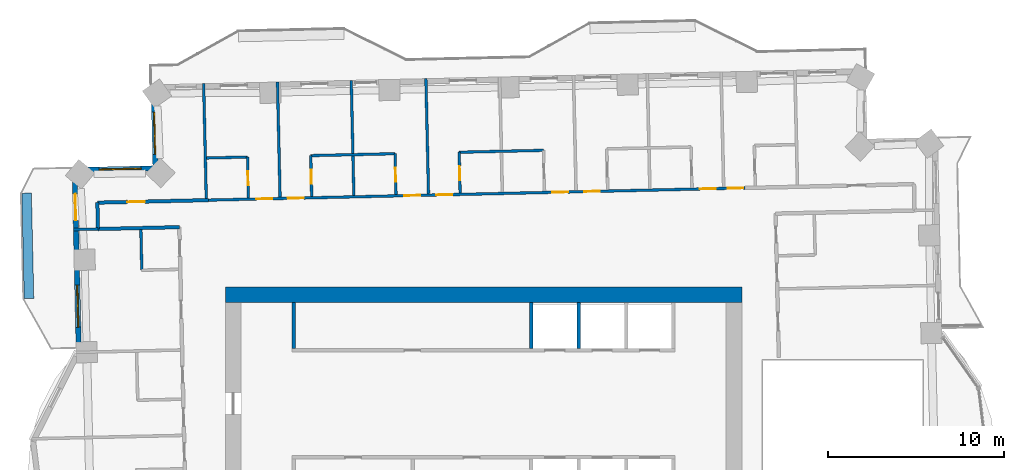
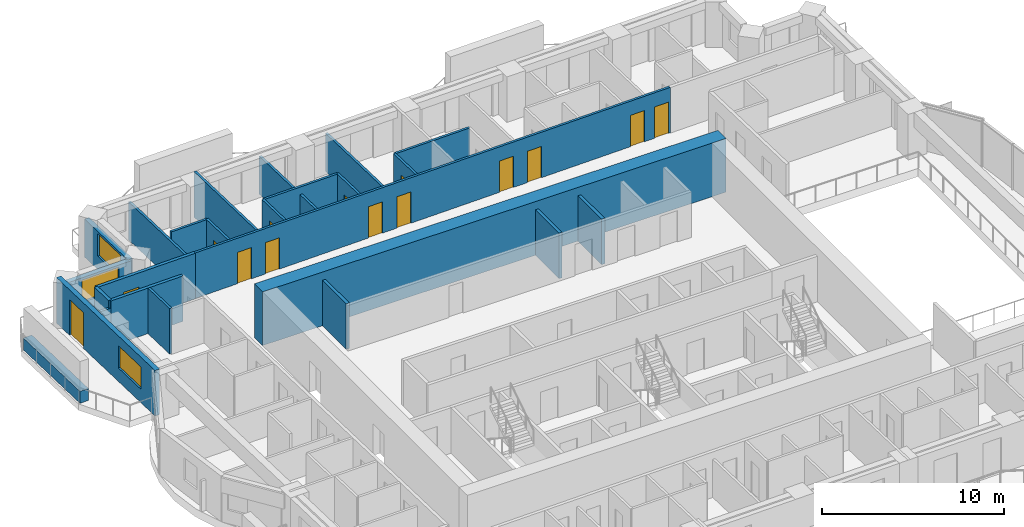
# One storey, part 8 of 14: 25 walls, 14 doors, 3 windows, 17 openings.
"""IFC4 building model written with IfcOpenShell, lengths in metres."""

from ifc_helpers import new_model, si_unit, direction, frame, frame_2d, origin, place, context, subcontext, project, spatial, rectangle, extrude, material, layer, layer_set, type_object, element, fill, save


model = new_model("IFC4")

# Units and contexts
model_context = context("Model", 3, precision=1e-05, world=origin(), true_north=direction((0.0, 1.0)))
body_context = subcontext(model_context, "Body", "Model", "MODEL_VIEW")
ifc_project = project(units=[si_unit("LENGTHUNIT", "METRE"), si_unit("AREAUNIT", "SQUARE_METRE"), si_unit("VOLUMEUNIT", "CUBIC_METRE"), si_unit("PLANEANGLEUNIT", "RADIAN"), si_unit("MASSUNIT", "GRAM", prefix="KILO")], contexts=[model_context])

# Site, building, storey
site_placement = place(None, origin())
site = spatial("IfcSite", under=ifc_project, at=site_placement, CompositionType="ELEMENT")
building_placement = place(site_placement, origin())
building = spatial("IfcBuilding", under=site, at=building_placement, Name="Mangrove Gate Tower", CompositionType="ELEMENT")
storey_placement = place(building_placement, frame((0.0, 0.0, 186.10009765625)))
storey = spatial("IfcBuildingStorey", under=building, at=storey_placement, Name="L47", CompositionType="ELEMENT", Elevation=186.10009765625)

# Walls
ifc_material_1 = material(Name="Concrete C32/40", Category="concrete")
ifc_layer_1 = layer(ifc_material_1, 0.199951171875)
ifc_layer_set_1 = layer_set([ifc_layer_1], Name="Core room wall 200 C32/40")
wall_type_1 = type_object("IfcWallType", Name="Core room wall 200 C32/40", PredefinedType="STANDARD", material=ifc_layer_set_1)
wall_1_placement = place(storey_placement, frame((-10.800048828125, 8.199951171875, 0.0), z_axis=(0.0, 0.0, 1.0), x_axis=(0.0, 1.0, 0.0)))
element("IfcWall", 1, at=wall_1_placement, inside=storey, type_object=wall_type_1, Name="WALL-L47-CORE-25", PredefinedType="STANDARD", context=body_context, shape_type="SweptSolid", body=[
    extrude(rectangle(XDim=2.60009765625, YDim=0.199951171875, at=frame_2d((1.300048828125, 0.0))), origin(), (0.0, 0.0, 1.0), 3.0498046875),
])
ifc_material_2 = material(Name="Concrete C60/75", Category="concrete")
ifc_layer_2 = layer(ifc_material_2, 0.199951171875)
ifc_layer_set_2 = layer_set([ifc_layer_2], Name="Core shaft wall 200 C60/75")
wall_type_2 = type_object("IfcWallType", Name="Core shaft wall 200 C60/75", PredefinedType="SHEAR", material=ifc_layer_set_2)
for number, where, z_axis, x_axis, name in (
    (2, (2.699951171875, 8.199951171875, 0.0), (0.0, 0.0, 1.0), (0.0, 1.0, 0.0), "WALL-L47-CORE-26"),
    (3, (5.39990234375, 8.199951171875, 0.0), (0.0, 0.0, 1.0), (0.0, 1.0, 0.0), "WALL-L47-CORE-27"),
):
    element("IfcWall", number, at=place(storey_placement, frame(where, z_axis=z_axis, x_axis=x_axis)), inside=storey, type_object=wall_type_2, Name=name, PredefinedType="SHEAR", context=body_context, shape_type="SweptSolid", body=[
        extrude(rectangle(XDim=2.60009765625, YDim=0.199951171875, at=frame_2d((1.300048828125, 0.0))), origin(), (0.0, 0.0, 1.0), 3.0498046875),
    ])
ifc_material_3 = material(Name="Concrete C60/75", Category="concrete")
ifc_layer_3 = layer(ifc_material_3, 0.89990234375)
ifc_layer_set_3 = layer_set([ifc_layer_3], Name="Core wall 900 C60/75")
wall_type_3 = type_object("IfcWallType", Name="Core wall 900 C60/75", PredefinedType="SHEAR", material=ifc_layer_set_3)
wall_2_placement = place(storey_placement, frame((-14.699951171875, 11.25, 0.0), z_axis=(0.0, 0.0, 1.0), x_axis=(1.0, 0.0, 0.0)))
element("IfcWall", 4, at=wall_2_placement, inside=storey, type_object=wall_type_3, Name="WALL-L47-CORE-2", PredefinedType="SHEAR", context=body_context, shape_type="SweptSolid", body=[
    extrude(rectangle(XDim=29.39990234375, YDim=0.89990234375, at=frame_2d((14.699951171875, 0.0))), origin(), (0.0, 0.0, 1.0), 3.599853515625),
])
ifc_material_4 = material(Name="Gypsum board on steel stud, EI 60", Category="steel")
ifc_layer_4 = layer(ifc_material_4, 0.199951171875)
ifc_layer_set_4 = layer_set([ifc_layer_4], Name="Corridor wall EI 60")
wall_type_4 = type_object("IfcWallType", Name="Corridor wall EI 60", PredefinedType="PARTITIONING", material=ifc_layer_set_4)
wall_3_placement = place(storey_placement, frame((-21.948974609375, 14.989013671875, 0.0), z_axis=(0.0, 0.0, 1.0), x_axis=(0.999743491588, 0.022648422179, 0.0)))
element("IfcWall", 5, at=wall_3_placement, inside=storey, type_object=wall_type_4, Name="WALL-L47-053", PredefinedType="PARTITIONING", context=body_context, shape_type="SweptSolid", body=[
    extrude(rectangle(XDim=4.63525390625, YDim=0.199951171875, at=frame_2d((2.317626953125, 0.0))), origin(), (0.0, 0.0, 1.0), 3.0498046875),
])
wall_4_placement = place(storey_placement, frame((-21.948974609375, 14.992919921875, 0.0), z_axis=(0.0, 0.0, 1.0), x_axis=(-0.022617910375, 0.999744182344, 0.0)))
element("IfcWall", 6, at=wall_4_placement, inside=storey, type_object=wall_type_4, Name="WALL-L47-056", PredefinedType="PARTITIONING", context=body_context, shape_type="SweptSolid", body=[
    extrude(rectangle(XDim=1.50048828125, YDim=0.199951171875, at=frame_2d((0.750244140625, 0.0))), origin(), (0.0, 0.0, 1.0), 3.0498046875),
])

# Wall, opening, door
wall_5_placement = place(storey_placement, frame((-21.98291015625, 16.489013671875, 0.0), z_axis=(0.0, 0.0, 1.0), x_axis=(0.999744930163, 0.022584831499, 0.0)))
wall_5 = element("IfcWall", 7, at=wall_5_placement, inside=storey, type_object=wall_type_4, Name="WALL-L47-058", PredefinedType="PARTITIONING", context=body_context, shape_type="SweptSolid", body=[
    extrude(rectangle(XDim=6.334716796875, YDim=0.199951171875, at=frame_2d((3.16748046875, 0.0))), origin(), (0.0, 0.0, 1.0), 3.0498046875),
])
opening_1_placement = place(wall_5_placement, frame((1.7060546875, 0.0, 0.0)))
opening_1 = element("IfcOpeningElement", 8, at=opening_1_placement, cuts=wall_5, Name="Opening AD", PredefinedType="OPENING", context=body_context, shape_type="SweptSolid", body=[
    extrude(rectangle(XDim=1.0, YDim=2.10009765625, at=frame_2d((0.5, 1.050048828125))), frame((0.0, 0.10986328125, 0.0), z_axis=(0.0, -1.0, 0.0), x_axis=(1.0, 0.0, 0.0)), (0.0, 0.0, 1.0), 0.219970703125),
])
ifc_material_5 = material(Name="Timber door leaf", Category="wood")
door_type_1 = type_object("IfcDoorType", Name="Amenity door 1000", OperationType="SINGLE_SWING_LEFT", PredefinedType="DOOR", material=ifc_material_5)
door_1_placement = place(opening_1_placement, origin())
door_1 = element("IfcDoor", 9, at=door_1_placement, inside=storey, type_object=door_type_1, Name="DOOR-L47-STU-c5a", OperationType="SINGLE_SWING_LEFT", OverallHeight=2.10009765625, OverallWidth=1.0, PredefinedType="DOOR", context=body_context, shape_type="SweptSolid", body=[
    extrude(rectangle(XDim=1.0, YDim=2.10009765625, at=frame_2d((0.5, 1.050048828125))), frame((0.0, 0.02490234375, 0.0), z_axis=(0.0, -1.0, 0.0), x_axis=(1.0, 0.0, 0.0)), (0.0, 0.0, 1.0), 0.050048828125),
])
fill(opening_1, door_1)

# Wall, opening, window
ifc_material_6 = material(Name="Limestone", Category="masonry")
ifc_layer_5 = layer(ifc_material_6, 0.0400390625, Name="Limestone cladding")
ifc_material_7 = material(Name="Ventilated air gap")
ifc_layer_6 = layer(ifc_material_7, 0.0400390625, Name="Ventilated cavity")
ifc_material_8 = material(Name="Mineral wool insulation")
ifc_layer_7 = layer(ifc_material_8, 0.06005859375, Name="Insulation")
ifc_material_9 = material(Name="Breather membrane")
ifc_layer_8 = layer(ifc_material_9, 0.001953125, Name="Breather membrane")
ifc_material_10 = material(Name="Concrete C20/25 blockwork", Category="masonry")
ifc_layer_9 = layer(ifc_material_10, 0.14990234375, Name="Blockwork backing wall")
ifc_material_11 = material(Name="Gypsum plaster")
ifc_layer_10 = layer(ifc_material_11, 0.008056640625, Name="Internal plaster")
ifc_layer_set_5 = layer_set([ifc_layer_5, ifc_layer_6, ifc_layer_7, ifc_layer_8, ifc_layer_9, ifc_layer_10], Name="External wall 300 limestone cladding")
wall_type_5 = type_object("IfcWallType", Name="External wall 300 limestone cladding", PredefinedType="SOLIDWALL", material=ifc_layer_set_5)
wall_6_placement = place(storey_placement, frame((-18.781005859375, 23.04296875, 0.0), z_axis=(0.0, 0.0, 1.0), x_axis=(0.022821468877, -0.999739556364, 0.0)))
wall_6 = element("IfcWall", 10, at=wall_6_placement, inside=storey, type_object=wall_type_5, Name="WALL-L47-W6", PredefinedType="SOLIDWALL", context=body_context, shape_type="SweptSolid", body=[
    extrude(rectangle(XDim=4.60009765625, YDim=0.300048828125, at=frame_2d((2.300048828125, 0.0))), origin(), (0.0, 0.0, 1.0), 2.5498046875),
])
opening_2_placement = place(wall_6_placement, frame((1.403076171875, 0.0, 0.89990234375)))
opening_2 = element("IfcOpeningElement", 11, at=opening_2_placement, cuts=wall_6, Name="Opening W2", PredefinedType="OPENING", context=body_context, shape_type="SweptSolid", body=[
    extrude(rectangle(XDim=2.39990234375, YDim=1.5, at=frame_2d((1.199951171875, 0.75))), frame((0.0, 0.159912109375, 0.0), z_axis=(0.0, -1.0, 0.0), x_axis=(1.0, 0.0, 0.0)), (0.0, 0.0, 1.0), 0.320068359375),
])
ifc_material_12 = material(Name="Aluminium frame with double-glazed low-e glass", Category="aluminium")
window_type = type_object("IfcWindowType", Name="Corner room window 2400x1500", PartitioningType="DOUBLE_PANEL_VERTICAL", PredefinedType="WINDOW", material=ifc_material_12)
window_1_placement = place(opening_2_placement, origin())
window_1 = element("IfcWindow", 12, at=window_1_placement, inside=storey, type_object=window_type, Name="WIN-L47-W6-1", OverallHeight=1.5, OverallWidth=2.39990234375, PartitioningType="DOUBLE_PANEL_VERTICAL", PredefinedType="WINDOW", context=body_context, shape_type="SweptSolid", body=[
    extrude(rectangle(XDim=2.39990234375, YDim=1.5, at=frame_2d((1.199951171875, 0.75))), frame((0.0, 0.030029296875, 0.0), z_axis=(0.0, -1.0, 0.0), x_axis=(1.0, 0.0, 0.0)), (0.0, 0.0, 1.0), 0.06005859375),
])
fill(opening_2, window_1)

wall_7_placement = place(storey_placement, frame((-18.676025390625, 18.444091796875, 0.0), z_axis=(0.0, 0.0, 1.0), x_axis=(-0.999744377441, -0.022609285172, 0.0)))
wall_7 = element("IfcWall", 13, at=wall_7_placement, inside=storey, type_object=wall_type_5, Name="WALL-L47-N7", PredefinedType="SOLIDWALL", context=body_context, shape_type="SweptSolid", body=[
    extrude(rectangle(XDim=4.60009765625, YDim=0.300048828125, at=frame_2d((2.300048828125, 0.0))), origin(), (0.0, 0.0, 1.0), 2.5498046875),
])
opening_3_placement = place(wall_7_placement, frame((0.81298828125, 0.0, 0.89990234375)))
opening_3 = element("IfcOpeningElement", 14, at=opening_3_placement, cuts=wall_7, Name="Opening W2", PredefinedType="OPENING", context=body_context, shape_type="SweptSolid", body=[
    extrude(rectangle(XDim=2.39990234375, YDim=1.5, at=frame_2d((1.199951171875, 0.75))), frame((0.0, 0.159912109375, 0.0), z_axis=(0.0, -1.0, 0.0), x_axis=(1.0, 0.0, 0.0)), (0.0, 0.0, 1.0), 0.320068359375),
])
window_2_placement = place(opening_3_placement, origin())
window_2 = element("IfcWindow", 15, at=window_2_placement, inside=storey, type_object=window_type, Name="WIN-L47-N7-1", OverallHeight=1.5, OverallWidth=2.39990234375, PartitioningType="DOUBLE_PANEL_VERTICAL", PredefinedType="WINDOW", context=body_context, shape_type="SweptSolid", body=[
    extrude(rectangle(XDim=2.39990234375, YDim=1.5, at=frame_2d((1.199951171875, 0.75))), frame((0.0, 0.030029296875, 0.0), z_axis=(0.0, -1.0, 0.0), x_axis=(1.0, 0.0, 0.0)), (0.0, 0.0, 1.0), 0.06005859375),
])
fill(opening_3, window_2)

# Wall, openings, door, window
wall_8_placement = place(storey_placement, frame((-23.27490234375, 18.340087890625, 0.0), z_axis=(0.0, 0.0, 1.0), x_axis=(0.022705985163, -0.999742185885, 0.0)))
wall_8 = element("IfcWall", 16, at=wall_8_placement, inside=storey, type_object=wall_type_5, Name="WALL-L47-W8", PredefinedType="SOLIDWALL", context=body_context, shape_type="SweptSolid", body=[
    extrude(rectangle(XDim=10.4296875, YDim=0.300048828125, at=frame_2d((5.21484375, 0.0))), origin(), (0.0, 0.0, 1.0), 3.0498046875),
])
opening_4_placement = place(wall_8_placement, frame((1.35888671875, 0.0, 0.0)))
opening_4 = element("IfcOpeningElement", 17, at=opening_4_placement, cuts=wall_8, Name="Opening BD1", PredefinedType="OPENING", context=body_context, shape_type="SweptSolid", body=[
    extrude(rectangle(XDim=1.5, YDim=2.39990234375, at=frame_2d((0.75, 1.199951171875))), frame((0.0, 0.159912109375, 0.0), z_axis=(0.0, -1.0, 0.0), x_axis=(1.0, 0.0, 0.0)), (0.0, 0.0, 1.0), 0.320068359375),
])
opening_5_placement = place(wall_8_placement, frame((6.54296875, 0.0, 0.89990234375)))
opening_5 = element("IfcOpeningElement", 18, at=opening_5_placement, cuts=wall_8, Name="Opening W2", PredefinedType="OPENING", context=body_context, shape_type="SweptSolid", body=[
    extrude(rectangle(XDim=2.39990234375, YDim=1.5, at=frame_2d((1.199951171875, 0.75))), frame((0.0, 0.159912109375, 0.0), z_axis=(0.0, -1.0, 0.0), x_axis=(1.0, 0.0, 0.0)), (0.0, 0.0, 1.0), 0.320068359375),
])
ifc_material_13 = material(Name="Aluminium frame with laminated clear glass", Category="aluminium")
door_type_2 = type_object("IfcDoorType", Name="Balcony sliding door 1500x2400", OperationType="SLIDING_TO_LEFT", PredefinedType="DOOR", material=ifc_material_13)
door_2_placement = place(opening_4_placement, origin())
door_2 = element("IfcDoor", 19, at=door_2_placement, inside=storey, type_object=door_type_2, Name="DOOR-L47-W8-1", OperationType="SLIDING_TO_LEFT", OverallHeight=2.39990234375, OverallWidth=1.5, PredefinedType="DOOR", context=body_context, shape_type="SweptSolid", body=[
    extrude(rectangle(XDim=1.5, YDim=2.39990234375, at=frame_2d((0.75, 1.199951171875))), frame((0.0, 0.02490234375, 0.0), z_axis=(0.0, -1.0, 0.0), x_axis=(1.0, 0.0, 0.0)), (0.0, 0.0, 1.0), 0.050048828125),
])
fill(opening_4, door_2)
window_3_placement = place(opening_5_placement, origin())
window_3 = element("IfcWindow", 20, at=window_3_placement, inside=storey, type_object=window_type, Name="WIN-L47-W8-2", OverallHeight=1.5, OverallWidth=2.39990234375, PartitioningType="DOUBLE_PANEL_VERTICAL", PredefinedType="WINDOW", context=body_context, shape_type="SweptSolid", body=[
    extrude(rectangle(XDim=2.39990234375, YDim=1.5, at=frame_2d((1.199951171875, 0.75))), frame((0.0, 0.030029296875, 0.0), z_axis=(0.0, -1.0, 0.0), x_axis=(1.0, 0.0, 0.0)), (0.0, 0.0, 1.0), 0.06005859375),
])
fill(opening_5, window_3)

# Walls
ifc_material_14 = material(Name="Gypsum board on steel stud, EI 60", Category="steel")
ifc_layer_11 = layer(ifc_material_14, 0.14990234375)
ifc_layer_set_6 = layer_set([ifc_layer_11], Name="Party wall 150 EI 60")
wall_type_6 = type_object("IfcWallType", Name="Party wall 150 EI 60", PredefinedType="PARTITIONING", material=ifc_layer_set_6)
wall_9_placement = place(storey_placement, frame((-19.455078125, 12.64892578125, 0.0), z_axis=(0.0, 0.0, 1.0), x_axis=(-0.022603288534, 0.999744513037, 0.0)))
element("IfcWall", 21, at=wall_9_placement, inside=storey, type_object=wall_type_6, Name="WALL-L47-050", PredefinedType="PARTITIONING", context=body_context, shape_type="SweptSolid", body=[
    extrude(rectangle(XDim=2.300537109375, YDim=0.14990234375, at=frame_2d((1.150390625, 0.0))), origin(), (0.0, 0.0, 1.0), 3.0498046875),
])
wall_10_placement = place(storey_placement, frame((-23.347900390625, 14.95703125, 0.0), z_axis=(0.0, 0.0, 1.0), x_axis=(0.999740216184, 0.022792545827, 0.0)))
element("IfcWall", 22, at=wall_10_placement, inside=storey, type_object=wall_type_6, Name="WALL-L47-052", PredefinedType="PARTITIONING", context=body_context, shape_type="SweptSolid", body=[
    extrude(rectangle(XDim=1.403076171875, YDim=0.14990234375, at=frame_2d((0.70166015625, 0.0))), origin(), (0.0, 0.0, 1.0), 2.5498046875),
])

# Wall, openings, doors
wall_11_placement = place(storey_placement, frame((-15.64892578125, 16.633056640625, 0.0), z_axis=(0.0, 0.0, 1.0), x_axis=(0.999743261737, 0.022658565952, 0.0)))
wall_11 = element("IfcWall", 23, at=wall_11_placement, inside=storey, type_object=wall_type_6, Name="WALL-L47-059", PredefinedType="PARTITIONING", context=body_context, shape_type="SweptSolid", body=[
    extrude(rectangle(XDim=30.53564453125, YDim=0.14990234375, at=frame_2d((15.267822265625, 0.0))), origin(), (0.0, 0.0, 1.0), 3.0498046875),
])
opening_6_placement = place(wall_11_placement, frame((29.535888671875, 0.0, 0.0)))
opening_6 = element("IfcOpeningElement", 24, at=opening_6_placement, cuts=wall_11, Name="Opening BD", PredefinedType="OPENING", context=body_context, shape_type="SweptSolid", body=[
    extrude(rectangle(XDim=0.89990234375, YDim=2.10009765625, at=frame_2d((0.449951171875, 1.050048828125))), frame((0.0, 0.0849609375, 0.0), z_axis=(0.0, -1.0, 0.0), x_axis=(1.0, 0.0, 0.0)), (0.0, 0.0, 1.0), 0.169921875),
])
opening_7_placement = place(wall_11_placement, frame((27.965087890625, 0.0, 0.0)))
opening_7 = element("IfcOpeningElement", 25, at=opening_7_placement, cuts=wall_11, Name="Opening BD", PredefinedType="OPENING", context=body_context, shape_type="SweptSolid", body=[
    extrude(rectangle(XDim=0.89990234375, YDim=2.10009765625, at=frame_2d((0.449951171875, 1.050048828125))), frame((0.0, 0.0849609375, 0.0), z_axis=(0.0, -1.0, 0.0), x_axis=(1.0, 0.0, 0.0)), (0.0, 0.0, 1.0), 0.169921875),
])
opening_8_placement = place(wall_11_placement, frame((21.364990234375, 0.0, 0.0)))
opening_8 = element("IfcOpeningElement", 26, at=opening_8_placement, cuts=wall_11, Name="Opening BD", PredefinedType="OPENING", context=body_context, shape_type="SweptSolid", body=[
    extrude(rectangle(XDim=0.89990234375, YDim=2.10009765625, at=frame_2d((0.449951171875, 1.050048828125))), frame((0.0, 0.0849609375, 0.0), z_axis=(0.0, -1.0, 0.0), x_axis=(1.0, 0.0, 0.0)), (0.0, 0.0, 1.0), 0.169921875),
])
opening_9_placement = place(wall_11_placement, frame((19.56494140625, 0.0, 0.0)))
opening_9 = element("IfcOpeningElement", 27, at=opening_9_placement, cuts=wall_11, Name="Opening BD", PredefinedType="OPENING", context=body_context, shape_type="SweptSolid", body=[
    extrude(rectangle(XDim=0.89990234375, YDim=2.10009765625, at=frame_2d((0.449951171875, 1.050048828125))), frame((0.0, 0.0849609375, 0.0), z_axis=(0.0, -1.0, 0.0), x_axis=(1.0, 0.0, 0.0)), (0.0, 0.0, 1.0), 0.169921875),
])
opening_10_placement = place(wall_11_placement, frame((12.965087890625, 0.0, 0.0)))
opening_10 = element("IfcOpeningElement", 28, at=opening_10_placement, cuts=wall_11, Name="Opening BD", PredefinedType="OPENING", context=body_context, shape_type="SweptSolid", body=[
    extrude(rectangle(XDim=0.89990234375, YDim=2.10009765625, at=frame_2d((0.449951171875, 1.050048828125))), frame((0.0, 0.0849609375, 0.0), z_axis=(0.0, -1.0, 0.0), x_axis=(1.0, 0.0, 0.0)), (0.0, 0.0, 1.0), 0.169921875),
])
opening_11_placement = place(wall_11_placement, frame((11.139892578125, 0.0, 0.0)))
opening_11 = element("IfcOpeningElement", 29, at=opening_11_placement, cuts=wall_11, Name="Opening BD", PredefinedType="OPENING", context=body_context, shape_type="SweptSolid", body=[
    extrude(rectangle(XDim=0.89990234375, YDim=2.10009765625, at=frame_2d((0.449951171875, 1.050048828125))), frame((0.0, 0.0849609375, 0.0), z_axis=(0.0, -1.0, 0.0), x_axis=(1.0, 0.0, 0.0)), (0.0, 0.0, 1.0), 0.169921875),
])
opening_12_placement = place(wall_11_placement, frame((4.514892578125, 0.0, 0.0)))
opening_12 = element("IfcOpeningElement", 30, at=opening_12_placement, cuts=wall_11, Name="Opening BD", PredefinedType="OPENING", context=body_context, shape_type="SweptSolid", body=[
    extrude(rectangle(XDim=0.89990234375, YDim=2.10009765625, at=frame_2d((0.449951171875, 1.050048828125))), frame((0.0, 0.0849609375, 0.0), z_axis=(0.0, -1.0, 0.0), x_axis=(1.0, 0.0, 0.0)), (0.0, 0.0, 1.0), 0.169921875),
])
opening_13_placement = place(wall_11_placement, frame((2.715087890625, 0.0, 0.0)))
opening_13 = element("IfcOpeningElement", 31, at=opening_13_placement, cuts=wall_11, Name="Opening BD", PredefinedType="OPENING", context=body_context, shape_type="SweptSolid", body=[
    extrude(rectangle(XDim=0.89990234375, YDim=2.10009765625, at=frame_2d((0.449951171875, 1.050048828125))), frame((0.0, 0.0849609375, 0.0), z_axis=(0.0, -1.0, 0.0), x_axis=(1.0, 0.0, 0.0)), (0.0, 0.0, 1.0), 0.169921875),
])
ifc_material_15 = material(Name="Timber door leaf", Category="wood")
door_type_3 = type_object("IfcDoorType", Name="Bedroom door 900", OperationType="SINGLE_SWING_LEFT", PredefinedType="DOOR", material=ifc_material_15)
door_3_placement = place(opening_6_placement, origin())
door_3 = element("IfcDoor", 32, at=door_3_placement, inside=storey, type_object=door_type_3, Name="DOOR-L47-BED-c308", OperationType="SINGLE_SWING_RIGHT", OverallHeight=2.10009765625, OverallWidth=0.89990234375, PredefinedType="DOOR", context=body_context, shape_type="SweptSolid", body=[
    extrude(rectangle(XDim=0.89990234375, YDim=2.10009765625, at=frame_2d((0.449951171875, 1.050048828125))), frame((0.0, 0.02490234375, 0.0), z_axis=(0.0, -1.0, 0.0), x_axis=(1.0, 0.0, 0.0)), (0.0, 0.0, 1.0), 0.050048828125),
])
fill(opening_6, door_3)
door_4_placement = place(opening_7_placement, origin())
door_4 = element("IfcDoor", 33, at=door_4_placement, inside=storey, type_object=door_type_3, Name="DOOR-L47-BED-c309", OperationType="SINGLE_SWING_LEFT", OverallHeight=2.10009765625, OverallWidth=0.89990234375, PredefinedType="DOOR", context=body_context, shape_type="SweptSolid", body=[
    extrude(rectangle(XDim=0.89990234375, YDim=2.10009765625, at=frame_2d((0.449951171875, 1.050048828125))), frame((0.0, 0.02490234375, 0.0), z_axis=(0.0, -1.0, 0.0), x_axis=(1.0, 0.0, 0.0)), (0.0, 0.0, 1.0), 0.050048828125),
])
fill(opening_7, door_4)
door_5_placement = place(opening_8_placement, origin())
door_5 = element("IfcDoor", 34, at=door_5_placement, inside=storey, type_object=door_type_3, Name="DOOR-L47-BED-c410", OperationType="SINGLE_SWING_RIGHT", OverallHeight=2.10009765625, OverallWidth=0.89990234375, PredefinedType="DOOR", context=body_context, shape_type="SweptSolid", body=[
    extrude(rectangle(XDim=0.89990234375, YDim=2.10009765625, at=frame_2d((0.449951171875, 1.050048828125))), frame((0.0, 0.02490234375, 0.0), z_axis=(0.0, -1.0, 0.0), x_axis=(1.0, 0.0, 0.0)), (0.0, 0.0, 1.0), 0.050048828125),
])
fill(opening_8, door_5)
door_6_placement = place(opening_9_placement, origin())
door_6 = element("IfcDoor", 35, at=door_6_placement, inside=storey, type_object=door_type_3, Name="DOOR-L47-BED-c411", OperationType="SINGLE_SWING_LEFT", OverallHeight=2.10009765625, OverallWidth=0.89990234375, PredefinedType="DOOR", context=body_context, shape_type="SweptSolid", body=[
    extrude(rectangle(XDim=0.89990234375, YDim=2.10009765625, at=frame_2d((0.449951171875, 1.050048828125))), frame((0.0, 0.02490234375, 0.0), z_axis=(0.0, -1.0, 0.0), x_axis=(1.0, 0.0, 0.0)), (0.0, 0.0, 1.0), 0.050048828125),
])
fill(opening_9, door_6)
door_7_placement = place(opening_10_placement, origin())
door_7 = element("IfcDoor", 36, at=door_7_placement, inside=storey, type_object=door_type_3, Name="DOOR-L47-BED-c412", OperationType="SINGLE_SWING_RIGHT", OverallHeight=2.10009765625, OverallWidth=0.89990234375, PredefinedType="DOOR", context=body_context, shape_type="SweptSolid", body=[
    extrude(rectangle(XDim=0.89990234375, YDim=2.10009765625, at=frame_2d((0.449951171875, 1.050048828125))), frame((0.0, 0.02490234375, 0.0), z_axis=(0.0, -1.0, 0.0), x_axis=(1.0, 0.0, 0.0)), (0.0, 0.0, 1.0), 0.050048828125),
])
fill(opening_10, door_7)
door_8_placement = place(opening_11_placement, origin())
door_8 = element("IfcDoor", 37, at=door_8_placement, inside=storey, type_object=door_type_3, Name="DOOR-L47-BED-c513", OperationType="SINGLE_SWING_LEFT", OverallHeight=2.10009765625, OverallWidth=0.89990234375, PredefinedType="DOOR", context=body_context, shape_type="SweptSolid", body=[
    extrude(rectangle(XDim=0.89990234375, YDim=2.10009765625, at=frame_2d((0.449951171875, 1.050048828125))), frame((0.0, 0.02490234375, 0.0), z_axis=(0.0, -1.0, 0.0), x_axis=(1.0, 0.0, 0.0)), (0.0, 0.0, 1.0), 0.050048828125),
])
fill(opening_11, door_8)
door_9_placement = place(opening_12_placement, origin())
door_9 = element("IfcDoor", 38, at=door_9_placement, inside=storey, type_object=door_type_3, Name="DOOR-L47-BED-c514", OperationType="SINGLE_SWING_RIGHT", OverallHeight=2.10009765625, OverallWidth=0.89990234375, PredefinedType="DOOR", context=body_context, shape_type="SweptSolid", body=[
    extrude(rectangle(XDim=0.89990234375, YDim=2.10009765625, at=frame_2d((0.449951171875, 1.050048828125))), frame((0.0, 0.02490234375, 0.0), z_axis=(0.0, -1.0, 0.0), x_axis=(1.0, 0.0, 0.0)), (0.0, 0.0, 1.0), 0.050048828125),
])
fill(opening_12, door_9)
door_10_placement = place(opening_13_placement, origin())
door_10 = element("IfcDoor", 39, at=door_10_placement, inside=storey, type_object=door_type_3, Name="DOOR-L47-BED-c515", OperationType="SINGLE_SWING_LEFT", OverallHeight=2.10009765625, OverallWidth=0.89990234375, PredefinedType="DOOR", context=body_context, shape_type="SweptSolid", body=[
    extrude(rectangle(XDim=0.89990234375, YDim=2.10009765625, at=frame_2d((0.449951171875, 1.050048828125))), frame((0.0, 0.02490234375, 0.0), z_axis=(0.0, -1.0, 0.0), x_axis=(1.0, 0.0, 0.0)), (0.0, 0.0, 1.0), 0.050048828125),
])
fill(opening_13, door_10)

# Wall
wall_12_placement = place(storey_placement, frame((-15.787109375, 16.73291015625, 0.0), z_axis=(0.0, 0.0, 1.0), x_axis=(-0.022667874761, 0.999743050715, 0.0)))
element("IfcWall", 40, at=wall_12_placement, inside=storey, type_object=wall_type_6, Name="WALL-L47-061", PredefinedType="PARTITIONING", context=body_context, shape_type="SweptSolid", body=[
    extrude(rectangle(XDim=6.52685546875, YDim=0.14990234375, at=frame_2d((3.263427734375, 0.0))), origin(), (0.0, 0.0, 1.0), 2.5498046875),
])

# Wall, opening, door
wall_13_placement = place(storey_placement, frame((-13.386962890625, 16.762939453125, 0.0), z_axis=(0.0, 0.0, 1.0), x_axis=(-0.022370700241, 0.999749744571, 0.0)))
wall_13 = element("IfcWall", 41, at=wall_13_placement, inside=storey, type_object=wall_type_6, Name="WALL-L47-062", PredefinedType="PARTITIONING", context=body_context, shape_type="SweptSolid", body=[
    extrude(rectangle(XDim=2.324462890625, YDim=0.14990234375, at=frame_2d((1.162109375, 0.0))), origin(), (0.0, 0.0, 1.0), 3.0498046875),
])
opening_14_placement = place(wall_13_placement, frame((0.72509765625, 0.0, 0.0)))
opening_14 = element("IfcOpeningElement", 42, at=opening_14_placement, cuts=wall_13, Name="Opening ED", PredefinedType="OPENING", context=body_context, shape_type="SweptSolid", body=[
    extrude(rectangle(XDim=0.800048828125, YDim=2.10009765625, at=frame_2d((0.39990234375, 1.050048828125))), frame((0.0, 0.0849609375, 0.0), z_axis=(0.0, -1.0, 0.0), x_axis=(1.0, 0.0, 0.0)), (0.0, 0.0, 1.0), 0.169921875),
])
ifc_material_16 = material(Name="Timber door leaf", Category="wood")
door_type_4 = type_object("IfcDoorType", Name="En-suite door 800", OperationType="SINGLE_SWING_LEFT", PredefinedType="DOOR", material=ifc_material_16)
door_11_placement = place(opening_14_placement, origin())
door_11 = element("IfcDoor", 43, at=door_11_placement, inside=storey, type_object=door_type_4, Name="DOOR-L47-ENS-c515", OperationType="SINGLE_SWING_LEFT", OverallHeight=2.10009765625, OverallWidth=0.800048828125, PredefinedType="DOOR", context=body_context, shape_type="SweptSolid", body=[
    extrude(rectangle(XDim=0.800048828125, YDim=2.10009765625, at=frame_2d((0.39990234375, 1.050048828125))), frame((0.0, 0.02490234375, 0.0), z_axis=(0.0, -1.0, 0.0), x_axis=(1.0, 0.0, 0.0)), (0.0, 0.0, 1.0), 0.050048828125),
])
fill(opening_14, door_11)

# Wall
wall_14_placement = place(storey_placement, frame((-11.5869140625, 16.803955078125, 0.0), z_axis=(0.0, 0.0, 1.0), x_axis=(-0.022771353855, 0.999740699103, 0.0)))
element("IfcWall", 44, at=wall_14_placement, inside=storey, type_object=wall_type_6, Name="WALL-L47-063", PredefinedType="PARTITIONING", context=body_context, shape_type="SweptSolid", body=[
    extrude(rectangle(XDim=6.55078125, YDim=0.14990234375, at=frame_2d((3.275390625, 0.0))), origin(), (0.0, 0.0, 1.0), 3.0498046875),
])

# Wall, opening, door
wall_15_placement = place(storey_placement, frame((-9.7880859375, 16.844970703125, 0.0), z_axis=(0.0, 0.0, 1.0), x_axis=(-0.022370700241, 0.999749744571, 0.0)))
wall_15 = element("IfcWall", 45, at=wall_15_placement, inside=storey, type_object=wall_type_6, Name="WALL-L47-064", PredefinedType="PARTITIONING", context=body_context, shape_type="SweptSolid", body=[
    extrude(rectangle(XDim=2.324462890625, YDim=0.14990234375, at=frame_2d((1.162109375, 0.0))), origin(), (0.0, 0.0, 1.0), 3.0498046875),
])
opening_15_placement = place(wall_15_placement, frame((0.72509765625, 0.0, 0.0)))
opening_15 = element("IfcOpeningElement", 46, at=opening_15_placement, cuts=wall_15, Name="Opening ED", PredefinedType="OPENING", context=body_context, shape_type="SweptSolid", body=[
    extrude(rectangle(XDim=0.800048828125, YDim=2.10009765625, at=frame_2d((0.39990234375, 1.050048828125))), frame((0.0, 0.0849609375, 0.0), z_axis=(0.0, -1.0, 0.0), x_axis=(1.0, 0.0, 0.0)), (0.0, 0.0, 1.0), 0.169921875),
])
door_12_placement = place(opening_15_placement, origin())
door_12 = element("IfcDoor", 47, at=door_12_placement, inside=storey, type_object=door_type_4, Name="DOOR-L47-ENS-c514", OperationType="SINGLE_SWING_RIGHT", OverallHeight=2.10009765625, OverallWidth=0.800048828125, PredefinedType="DOOR", context=body_context, shape_type="SweptSolid", body=[
    extrude(rectangle(XDim=0.800048828125, YDim=2.10009765625, at=frame_2d((0.39990234375, 1.050048828125))), frame((0.0, 0.02490234375, 0.0), z_axis=(0.0, -1.0, 0.0), x_axis=(1.0, 0.0, 0.0)), (0.0, 0.0, 1.0), 0.050048828125),
])
fill(opening_15, door_12)

# Wall
wall_16_placement = place(storey_placement, frame((-7.387939453125, 16.89892578125, 0.0), z_axis=(0.0, 0.0, 1.0), x_axis=(-0.022771353855, 0.999740699103, 0.0)))
element("IfcWall", 48, at=wall_16_placement, inside=storey, type_object=wall_type_6, Name="WALL-L47-065", PredefinedType="PARTITIONING", context=body_context, shape_type="SweptSolid", body=[
    extrude(rectangle(XDim=6.55078125, YDim=0.14990234375, at=frame_2d((3.275390625, 0.0))), origin(), (0.0, 0.0, 1.0), 2.5498046875),
])

# Wall, opening, door
wall_17_placement = place(storey_placement, frame((-4.989013671875, 16.952880859375, 0.0), z_axis=(0.0, 0.0, 1.0), x_axis=(-0.022778632478, 0.99974053329, 0.0)))
wall_17 = element("IfcWall", 49, at=wall_17_placement, inside=storey, type_object=wall_type_6, Name="WALL-L47-066", PredefinedType="PARTITIONING", context=body_context, shape_type="SweptSolid", body=[
    extrude(rectangle(XDim=2.32568359375, YDim=0.14990234375, at=frame_2d((1.162841796875, 0.0))), origin(), (0.0, 0.0, 1.0), 3.0498046875),
])
opening_16_placement = place(wall_17_placement, frame((0.72509765625, 0.0, 0.0)))
opening_16 = element("IfcOpeningElement", 50, at=opening_16_placement, cuts=wall_17, Name="Opening ED", PredefinedType="OPENING", context=body_context, shape_type="SweptSolid", body=[
    extrude(rectangle(XDim=0.800048828125, YDim=2.10009765625, at=frame_2d((0.39990234375, 1.050048828125))), frame((0.0, 0.0849609375, 0.0), z_axis=(0.0, -1.0, 0.0), x_axis=(1.0, 0.0, 0.0)), (0.0, 0.0, 1.0), 0.169921875),
])
door_13_placement = place(opening_16_placement, origin())
door_13 = element("IfcDoor", 51, at=door_13_placement, inside=storey, type_object=door_type_4, Name="DOOR-L47-ENS-c513", OperationType="SINGLE_SWING_LEFT", OverallHeight=2.10009765625, OverallWidth=0.800048828125, PredefinedType="DOOR", context=body_context, shape_type="SweptSolid", body=[
    extrude(rectangle(XDim=0.800048828125, YDim=2.10009765625, at=frame_2d((0.39990234375, 1.050048828125))), frame((0.0, 0.02490234375, 0.0), z_axis=(0.0, -1.0, 0.0), x_axis=(1.0, 0.0, 0.0)), (0.0, 0.0, 1.0), 0.050048828125),
])
fill(opening_16, door_13)

# Wall
wall_18_placement = place(storey_placement, frame((-3.138916015625, 16.9951171875, 0.0), z_axis=(0.0, 0.0, 1.0), x_axis=(-0.022768808803, 0.999740757069, 0.0)))
element("IfcWall", 52, at=wall_18_placement, inside=storey, type_object=wall_type_6, Name="WALL-L47-067", PredefinedType="PARTITIONING", context=body_context, shape_type="SweptSolid", body=[
    extrude(rectangle(XDim=6.551513671875, YDim=0.14990234375, at=frame_2d((3.27587890625, 0.0))), origin(), (0.0, 0.0, 1.0), 2.5498046875),
])

# Wall, opening, door
wall_19_placement = place(storey_placement, frame((-1.340087890625, 17.035888671875, 0.0), z_axis=(0.0, 0.0, 1.0), x_axis=(-0.022778632478, 0.99974053329, 0.0)))
wall_19 = element("IfcWall", 53, at=wall_19_placement, inside=storey, type_object=wall_type_6, Name="WALL-L47-068", PredefinedType="PARTITIONING", context=body_context, shape_type="SweptSolid", body=[
    extrude(rectangle(XDim=2.32568359375, YDim=0.14990234375, at=frame_2d((1.162841796875, 0.0))), origin(), (0.0, 0.0, 1.0), 3.0498046875),
])
opening_17_placement = place(wall_19_placement, frame((0.72509765625, 0.0, 0.0)))
opening_17 = element("IfcOpeningElement", 54, at=opening_17_placement, cuts=wall_19, Name="Opening ED", PredefinedType="OPENING", context=body_context, shape_type="SweptSolid", body=[
    extrude(rectangle(XDim=0.800048828125, YDim=2.10009765625, at=frame_2d((0.39990234375, 1.050048828125))), frame((0.0, 0.0849609375, 0.0), z_axis=(0.0, -1.0, 0.0), x_axis=(1.0, 0.0, 0.0)), (0.0, 0.0, 1.0), 0.169921875),
])
door_14_placement = place(opening_17_placement, origin())
door_14 = element("IfcDoor", 55, at=door_14_placement, inside=storey, type_object=door_type_4, Name="DOOR-L47-ENS-c412", OperationType="SINGLE_SWING_RIGHT", OverallHeight=2.10009765625, OverallWidth=0.800048828125, PredefinedType="DOOR", context=body_context, shape_type="SweptSolid", body=[
    extrude(rectangle(XDim=0.800048828125, YDim=2.10009765625, at=frame_2d((0.39990234375, 1.050048828125))), frame((0.0, 0.02490234375, 0.0), z_axis=(0.0, -1.0, 0.0), x_axis=(1.0, 0.0, 0.0)), (0.0, 0.0, 1.0), 0.050048828125),
])
fill(opening_17, door_14)

# Walls
wall_20_placement = place(storey_placement, frame((-15.763916015625, 19.031005859375, 0.0), z_axis=(0.0, 0.0, 1.0), x_axis=(0.999749954681, 0.022361308448, 0.0)))
element("IfcWall", 56, at=wall_20_placement, inside=storey, type_object=wall_type_6, Name="WALL-L47-078", PredefinedType="PARTITIONING", context=body_context, shape_type="SweptSolid", body=[
    extrude(rectangle(XDim=2.325439453125, YDim=0.14990234375, at=frame_2d((1.16259765625, 0.0))), origin(), (0.0, 0.0, 1.0), 3.0498046875),
])
for number, where, z_axis, x_axis, name in (
    (57, (-9.840087890625, 19.1650390625, 0.0), (0.0, 0.0, 1.0), (0.999742596585, 0.02268789488, 0.0), "WALL-L47-079"),
    (58, (-1.39208984375, 19.35693359375, 0.0), (0.0, 0.0, 1.0), (0.999741441463, 0.022738738327, 0.0), "WALL-L47-080"),
):
    element("IfcWall", number, at=place(storey_placement, frame(where, z_axis=z_axis, x_axis=x_axis)), inside=storey, type_object=wall_type_6, Name=name, PredefinedType="PARTITIONING", context=body_context, shape_type="SweptSolid", body=[
        extrude(rectangle(XDim=4.79931640625, YDim=0.14990234375, at=frame_2d((2.399658203125, 0.0))), origin(), (0.0, 0.0, 1.0), 3.0498046875),
    ])
ifc_material_17 = material(Name="Concrete C32/40", Category="concrete")
ifc_layer_12 = layer(ifc_material_17, 0.199951171875, Name="Planter trough wall")
ifc_material_18 = material(Name="Bituminous waterproofing membrane")
ifc_layer_13 = layer(ifc_material_18, 0.0048828125, Name="Waterproofing")
ifc_material_19 = material(Name="Drainage board and gravel")
ifc_layer_14 = layer(ifc_material_19, 0.044921875, Name="Drainage layer")
ifc_material_20 = material(Name="Planting soil")
ifc_layer_15 = layer(ifc_material_20, 0.300048828125, Name="Growing medium")
ifc_layer_set_7 = layer_set([ifc_layer_12, ifc_layer_13, ifc_layer_14, ifc_layer_15], Name="Planter wall 550 C32/40")
wall_type_7 = type_object("IfcWallType", Name="Planter wall 550 C32/40", PredefinedType="USERDEFINED", material=ifc_layer_set_7)
wall_21_placement = place(storey_placement, frame((-25.875, 11.029052734375, 0.0), z_axis=(0.0, 0.0, 1.0), x_axis=(-0.022665943652, 0.999743094499, 0.0)))
element("IfcWall", 59, at=wall_21_placement, inside=storey, type_object=wall_type_7, Name="PLANTER L47 W0.1", ObjectType="PLANTER", PredefinedType="USERDEFINED", context=body_context, shape_type="SweptSolid", body=[
    extrude(rectangle(XDim=5.99951171875, YDim=0.550048828125, at=frame_2d((2.999755859375, 0.0))), origin(), (0.0, 0.0, 1.0), 0.7998046875),
])

save(model, "model.ifc")
